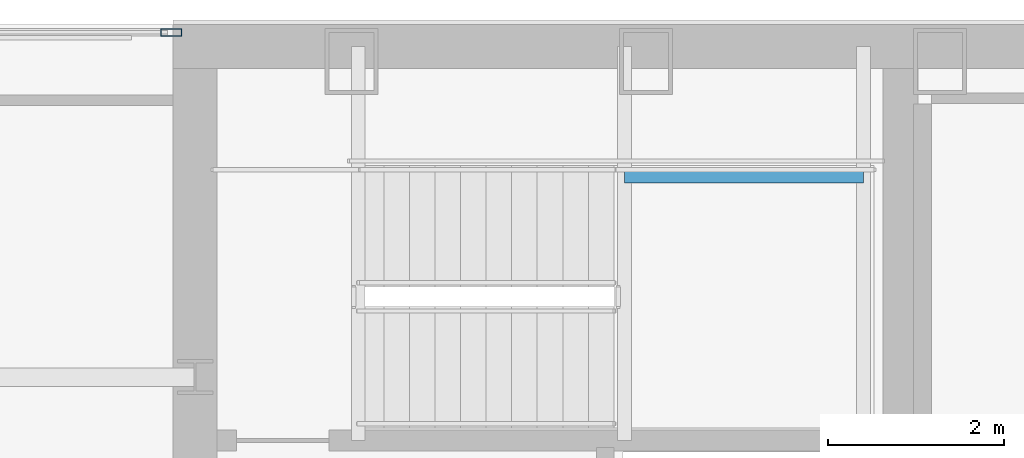
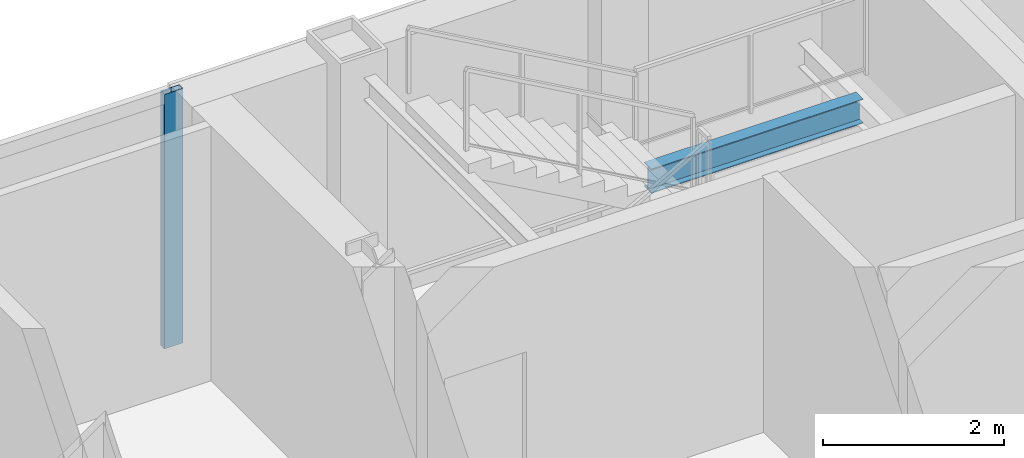
# One storey, part 21 of 30: 1 beam, 1 member, 1 element without a shape of its own.
"""IFC4 building model written with IfcOpenShell, lengths in metres."""

import ifcopenshell
import ifcopenshell.guid

model = None  # the IFC model being written
_history = None  # IfcOwnerHistory: only IFC2X3 demands one
_inside = {}  # id of a spatial element -> (the spatial element, [elements in it])
_under = {}  # id of a project, library or spatial element -> (it, [spatial elements below it])
_declared = {}  # id of a project -> (the project, [libraries it declares])
_typed = {}  # id of a type object -> (the type object, [elements of that type])
_made_of = {}  # id of a material, layer set ... -> (it, [elements and type objects made of it])


def new_model(schema):
    """Start an empty IFC model of exactly this schema.

    Asked for "IFC4X3", IfcOpenShell would pick the latest addendum, in which some entities
    have other attributes; the version numbers below select the first issue.
    IFC2X3 requires an IfcOwnerHistory on every rooted entity: one is made here for all.
    """
    global model, _history
    if schema == "IFC4X3":
        model = ifcopenshell.file(schema_version=(4, 3, 0, 0))
    else:
        model = ifcopenshell.file(schema=schema)
    _inside.clear()
    _under.clear()
    _declared.clear()
    _typed.clear()
    _made_of.clear()
    _history = None
    if model.schema == "IFC2X3":
        org = make("IfcOrganization", Name="unknown")
        user = make(
            "IfcPersonAndOrganization",
            ThePerson=make("IfcPerson", FamilyName="unknown"),
            TheOrganization=org,
        )
        app = make(
            "IfcApplication",
            ApplicationDeveloper=org,
            Version="unknown",
            ApplicationFullName="unknown",
            ApplicationIdentifier="unknown",
        )
        _history = make(
            "IfcOwnerHistory",
            OwningUser=user,
            OwningApplication=app,
            ChangeAction="ADDED",
            CreationDate=0,
        )
    return model


def make(cls, **values):
    """One entity of the class cls with the attributes given. An attribute that is None is left unset."""
    return model.create_entity(
        cls, **{name: value for name, value in values.items() if value is not None}
    )


def rooted(cls, **values):
    """An entity with a GlobalId (a new one), such as an element, a storey or a relation."""
    return make(cls, GlobalId=ifcopenshell.guid.new(), OwnerHistory=_history, **values)


def si_unit(unit_type, name, prefix=None):
    """IfcSIUnit, for example si_unit("LENGTHUNIT", "METRE", prefix="MILLI")."""
    return make("IfcSIUnit", UnitType=unit_type, Prefix=prefix, Name=name)


def assignment(units):
    """IfcUnitAssignment: the units of a project."""
    return None if units is None else make("IfcUnitAssignment", Units=units)


def point(xyz):
    """IfcCartesianPoint."""
    return None if xyz is None else make("IfcCartesianPoint", Coordinates=xyz)


def direction(xyz):
    """IfcDirection."""
    return None if xyz is None else make("IfcDirection", DirectionRatios=xyz)


def frame(location, z_axis=None, x_axis=None):
    """IfcAxis2Placement3D, a coordinate frame: its origin and axes. An axis left out is left unset."""
    return make(
        "IfcAxis2Placement3D",
        Location=point(location),
        Axis=direction(z_axis),
        RefDirection=direction(x_axis),
    )


def frame_2d(location, x_axis=None):
    """IfcAxis2Placement2D, a coordinate frame in the plane: its origin and x axis."""
    return make(
        "IfcAxis2Placement2D", Location=point(location), RefDirection=direction(x_axis)
    )


def origin():
    """The frame at (0, 0, 0) with its axes left unset."""
    return frame((0.0, 0.0, 0.0))


def origin_2d():
    """The frame at (0, 0) in the plane with its x axis left unset."""
    return frame_2d((0.0, 0.0))


def place(relative_to, where):
    """IfcLocalPlacement: puts the frame where relative to a parent placement (None: the world)."""
    return make(
        "IfcLocalPlacement", PlacementRelTo=relative_to, RelativePlacement=where
    )


def context(
    kind, dimensions, precision=None, world=None, true_north=None, identifier=None
):
    """IfcGeometricRepresentationContext, for example the 3D "Model" context."""
    return make(
        "IfcGeometricRepresentationContext",
        ContextIdentifier=identifier,
        ContextType=kind,
        CoordinateSpaceDimension=dimensions,
        Precision=precision,
        WorldCoordinateSystem=world,
        TrueNorth=true_north,
    )


def subcontext(parent, identifier, kind, view, scale=None):
    """IfcGeometricRepresentationSubContext, for example "Body" below "Model"."""
    return make(
        "IfcGeometricRepresentationSubContext",
        ContextIdentifier=identifier,
        ContextType=kind,
        ParentContext=parent,
        TargetScale=scale,
        TargetView=view,
    )


def project(units=None, contexts=None):
    """IfcProject with its units and contexts."""
    return rooted(
        "IfcProject",
        Name="project",
        RepresentationContexts=contexts,
        UnitsInContext=assignment(units),
    )


def spatial(cls, under=None, at=None, **own):
    """A site, building, storey or space (cls), placed at a placement, below another one or the project."""
    s = rooted(cls, ObjectPlacement=at, **own)
    if under is not None:
        _under.setdefault(under.id(), (under, []))[1].append(s)
    return s


def profile(cls, at=None, kind="AREA", **sizes):
    """A parametric profile (cls). Its sizes go by their IFC names, for example OverallWidth=200.0."""
    return make(cls, ProfileType=kind, Position=at, **sizes)


def hollow_rectangle(**sizes):
    """IfcRectangleHollowProfileDef."""
    return profile("IfcRectangleHollowProfileDef", **sizes)


def i_section(**sizes):
    """IfcIShapeProfileDef."""
    return profile("IfcIShapeProfileDef", **sizes)


def extrude(swept, where, along, depth):
    """IfcExtrudedAreaSolid: the profile swept, set in the frame where, extruded along a direction by depth."""
    return make(
        "IfcExtrudedAreaSolid",
        SweptArea=swept,
        Position=where,
        ExtrudedDirection=direction(along),
        Depth=depth,
    )


def shape(context_of_items, identifier, shape_type, items):
    """IfcShapeRepresentation: the items that make up one representation, for example the "Body"."""
    return make(
        "IfcShapeRepresentation",
        ContextOfItems=context_of_items,
        RepresentationIdentifier=identifier,
        RepresentationType=shape_type,
        Items=items,
    )


def material(Name=None, Category=None):
    """IfcMaterial."""
    return make("IfcMaterial", Name=Name, Category=Category)


def material_profile(
    of_material, cross_section, Name=None, Category=None, Priority=None
):
    """IfcMaterialProfile: a cross section and its material."""
    return make(
        "IfcMaterialProfile",
        Name=Name,
        Material=of_material,
        Profile=cross_section,
        Priority=Priority,
        Category=Category,
    )


def profile_set(profiles, Name=None, composite=None):
    """IfcMaterialProfileSet."""
    return make(
        "IfcMaterialProfileSet",
        Name=Name,
        MaterialProfiles=profiles,
        CompositeProfile=composite,
    )


def made_of(thing, what):
    """Note that an element or type object is made of a material, layer set ...; save() writes the relation."""
    if what is not None:
        _made_of.setdefault(what.id(), (what, []))[1].append(thing)
    return thing


def type_object(cls, material=None, **own):
    """A type object (cls), such as IfcWallType, which elements share."""
    return made_of(rooted(cls, **own), material)


def element(
    cls,
    number,
    at=None,
    inside=None,
    cuts=None,
    type_object=None,
    material=None,
    context=None,
    identifier="Body",
    shape_type=None,
    held_by="IfcProductDefinitionShape",
    body=None,
    shapes=None,
    **own,
):
    """One element of the class cls, such as IfcWall. Its Tag is "e" and its number.

    at: its placement. inside: the storey or other place that contains it. cuts: it is an
    opening in that element (IfcRelVoidsElement). A single representation is given by context,
    identifier, shape_type and body (its items); several are given by shapes. held_by: the class
    of the entity that holds the representations. save() writes the other relations.
    """
    e = rooted(cls, Tag="e%d" % number, ObjectPlacement=at, **own)
    if body is not None:
        shapes = [shape(context, identifier, shape_type, body)]
    if shapes is not None:
        e.Representation = make(held_by, Representations=shapes)
    if inside is not None:
        _inside.setdefault(inside.id(), (inside, []))[1].append(e)
    if cuts is not None:
        rooted(
            "IfcRelVoidsElement", RelatingBuildingElement=cuts, RelatedOpeningElement=e
        )
    if type_object is not None:
        _typed.setdefault(type_object.id(), (type_object, []))[1].append(e)
    return made_of(e, material)


def aggregate(whole, parts):
    """IfcRelAggregates: a whole, such as a stair, and the parts it consists of."""
    return rooted("IfcRelAggregates", RelatingObject=whole, RelatedObjects=parts)


def save(model, path):
    """Write the relations noted so far, then the file.

    IfcRelAggregates (storeys below a building ...), IfcRelContainedInSpatialStructure (elements
    in a storey), IfcRelDefinesByType, IfcRelAssociatesMaterial and IfcRelDeclares: one each for
    every whole, place, type object, material and project.
    """
    for whole, parts in _under.values():
        aggregate(whole, parts)
    for where, things in _inside.values():
        rooted(
            "IfcRelContainedInSpatialStructure",
            RelatedElements=things,
            RelatingStructure=where,
        )
    for kind, things in _typed.values():
        rooted("IfcRelDefinesByType", RelatedObjects=things, RelatingType=kind)
    for what, things in _made_of.values():
        rooted("IfcRelAssociatesMaterial", RelatedObjects=things, RelatingMaterial=what)
    for by, libraries in _declared.values():
        rooted("IfcRelDeclares", RelatingContext=by, RelatedDefinitions=libraries)
    model.write(path)


model = new_model("IFC4")

# Units and contexts
model_context = context("Model", 3, precision=1e-05, world=origin(), true_north=direction((0.0, 1.0)))
body_context = subcontext(model_context, "Body", "Model", "MODEL_VIEW")
ifc_project = project(units=[si_unit("LENGTHUNIT", "METRE"), si_unit("AREAUNIT", "SQUARE_METRE"), si_unit("VOLUMEUNIT", "CUBIC_METRE"), si_unit("PLANEANGLEUNIT", "RADIAN"), si_unit("MASSUNIT", "GRAM", prefix="KILO")], contexts=[model_context])

# Site, building, storey
site_placement = place(None, origin())
site = spatial("IfcSite", under=ifc_project, at=site_placement, CompositionType="ELEMENT")
building_placement = place(site_placement, origin())
building = spatial("IfcBuilding", under=site, at=building_placement, Name="Khoronbel Lancet Exchange", CompositionType="ELEMENT")
storey_placement = place(building_placement, frame((0.0, 0.0, 277.0)))
storey = spatial("IfcBuildingStorey", under=building, at=storey_placement, Name="L71", CompositionType="ELEMENT", Elevation=277.0)

# Beam
ifc_material_1 = material(Name="Steel S355", Category="steel")
ifc_material_profile_1 = material_profile(ifc_material_1, i_section(OverallWidth=0.159912109375, OverallDepth=0.330078125, WebThickness=0.007568359375, FlangeThickness=0.011474609375, at=origin_2d()), Name="IPE 330")
ifc_profile_set_1 = profile_set([ifc_material_profile_1], Name="Steel S355")
beam_type = type_object("IfcBeamType", Name="BM-BJ7", PredefinedType="JOIST", material=ifc_profile_set_1)
beam_placement = place(storey_placement, frame((21.320068359375, 51.97998046875, 1.43505859375), z_axis=(1.0, 0.0, 0.0), x_axis=(0.0, 1.0, 0.0)))
element("IfcBeam", 1, at=beam_placement, inside=storey, type_object=beam_type, Name="Level L71 stair ST1 landing cross trimmer beam 1", PredefinedType="JOIST", context=body_context, shape_type="SweptSolid", body=[
    extrude(i_section(OverallWidth=0.159912109375, OverallDepth=0.330078125, WebThickness=0.007568359375, FlangeThickness=0.011474609375, at=origin_2d()), origin(), (0.0, 0.0, 1.0), 2.7099609375),
])

# Curtain wall, member
ifc_material_2 = material(Name="Low-E Solar Control Insulating Glass", Category="glass")
curtain_wall_type = type_object("IfcCurtainWallType", Name="CW-3", PredefinedType="NOTDEFINED", material=ifc_material_2)
curtain_wall_placement = place(storey_placement, origin())
curtain_wall = element("IfcCurtainWall", 2, at=curtain_wall_placement, inside=storey, type_object=curtain_wall_type, Name="Unitised curtain wall CW-L71-NWFLK", PredefinedType="NOTDEFINED")
ifc_material_3 = material(Name="Bronze-Anodised Aluminium 6063-T6", Category="aluminium")
ifc_material_profile_2 = material_profile(ifc_material_3, hollow_rectangle(XDim=0.0849609375, YDim=0.239990234375, WallThickness=0.006103515625, at=origin_2d()), Name="ALU MULLION 85x240")
ifc_profile_set_2 = profile_set([ifc_material_profile_2], Name="Bronze-Anodised Aluminium 6063-T6")
member_type = type_object("IfcMemberType", Name="MEM-CWM1", PredefinedType="MULLION", material=ifc_profile_set_2)
member_placement = place(storey_placement, frame((16.177490234375, 53.610107421875, 0.0), z_axis=(0.0, 0.0, 1.0), x_axis=(0.0, -1.0, 0.0)))
member = element("IfcMember", 3, at=member_placement, type_object=member_type, Name="CW3 mullion 1", PredefinedType="MULLION", context=body_context, shape_type="SweptSolid", body=[
    extrude(hollow_rectangle(XDim=0.0849609375, YDim=0.239990234375, WallThickness=0.006103515625, at=origin_2d()), origin(), (0.0, 0.0, 1.0), 3.43994140625),
])
aggregate(curtain_wall, [member])

save(model, "model.ifc")
